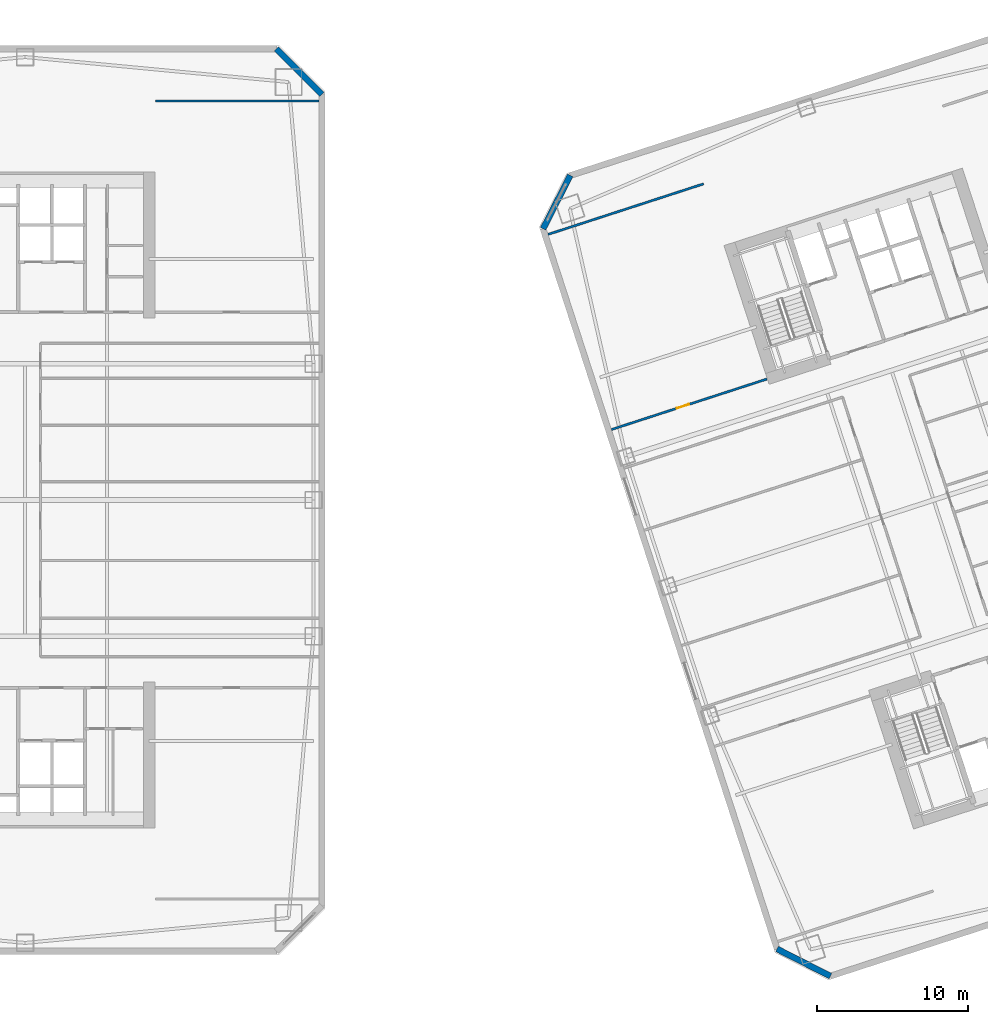
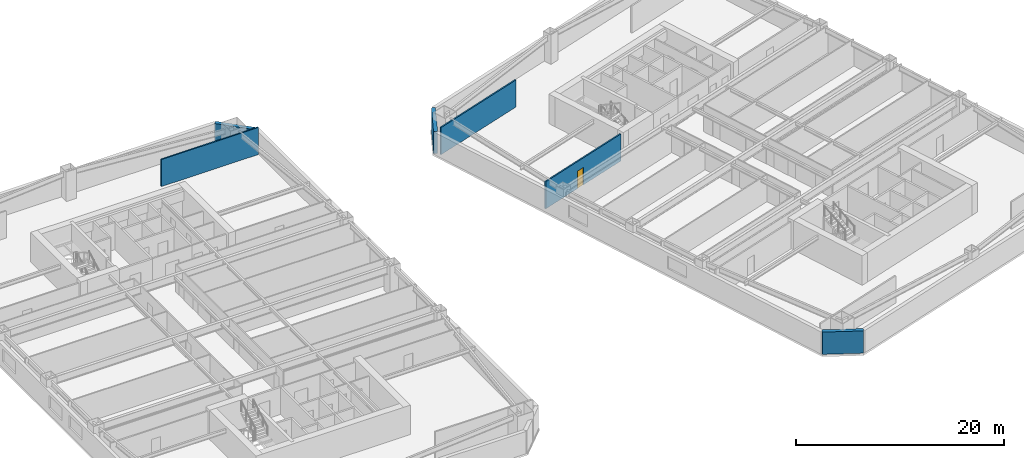
# One storey, part 13 of 19: 6 walls, 1 door, 1 opening.
"""IFC4 building model written with IfcOpenShell, lengths in metres."""

from ifc_helpers import new_model, si_unit, direction, frame, frame_2d, origin, place, context, subcontext, project, spatial, rectangle, extrude, material, layer, layer_set, type_object, element, fill, save


model = new_model("IFC4")

# Units and contexts
model_context = context("Model", 3, precision=1e-05, world=origin(), true_north=direction((0.0, 1.0)))
body_context = subcontext(model_context, "Body", "Model", "MODEL_VIEW")
ifc_project = project(units=[si_unit("LENGTHUNIT", "METRE"), si_unit("AREAUNIT", "SQUARE_METRE"), si_unit("VOLUMEUNIT", "CUBIC_METRE"), si_unit("PLANEANGLEUNIT", "RADIAN"), si_unit("MASSUNIT", "GRAM", prefix="KILO")], contexts=[model_context])

# Site, building, storey
site_placement = place(None, origin())
site = spatial("IfcSite", under=ifc_project, at=site_placement, CompositionType="ELEMENT")
building_placement = place(site_placement, origin())
building = spatial("IfcBuilding", under=site, at=building_placement, Name="Qiaolan Cultural Towers", CompositionType="ELEMENT")
storey_placement = place(building_placement, frame((0.0, 0.0, 54.050048828125)))
storey = spatial("IfcBuildingStorey", under=building, at=storey_placement, Name="L12", CompositionType="ELEMENT", Elevation=54.050048828125)

# Walls
ifc_material_1 = material(Name="Precast Concrete C50 Honed Stone Pier", Category="masonry")
ifc_layer_1 = layer(ifc_material_1, 0.39990234375)
ifc_layer_set_1 = layer_set([ifc_layer_1], Name="Precast Concrete C50 Honed Stone Pier")
wall_type_1 = type_object("IfcWallType", Name="WL-EXT-PIER-400", PredefinedType="SOLIDWALL", material=ifc_layer_set_1)
wall_1_placement = place(storey_placement, frame((46.60009765625, 63.800048828125, 0.0), z_axis=(0.0, 0.0, 1.0), x_axis=(0.707106781187, -0.707106781187, 0.0)))
element("IfcWall", 1, at=wall_1_placement, inside=storey, type_object=wall_type_1, Name="L12 West Tower Precast Pier Facade Wall F4", PredefinedType="SOLIDWALL", context=body_context, shape_type="SweptSolid", body=[
    extrude(rectangle(XDim=4.24267578125, YDim=0.39990234375, at=frame_2d((2.121337890625, 0.0))), origin(), (0.0, 0.0, 1.0), 2.60986328125),
])
for number, where, z_axis, x_axis, name in (
    (2, (64.20458984375, 51.905029296875, 0.0), (0.0, 0.0, 1.0), (0.453958106755, 0.891023028497, 0.0), "L12 East Tower Precast Pier Facade Wall F2"),
    (3, (83.18359375, 2.554443359375, 0.0), (0.0, 0.0, 1.0), (-0.890998089617, 0.454007053137, 0.0), "L12 East Tower Precast Pier Facade Wall F8"),
):
    element("IfcWall", number, at=place(storey_placement, frame(where, z_axis=z_axis, x_axis=x_axis)), inside=storey, type_object=wall_type_1, Name=name, PredefinedType="SOLIDWALL", context=body_context, shape_type="SweptSolid", body=[
        extrude(rectangle(XDim=3.9599609375, YDim=0.39990234375, at=frame_2d((1.97998046875, 0.0))), origin(), (0.0, 0.0, 1.0), 2.60986328125),
    ])
ifc_material_2 = material(Name="Autoclaved Aerated Concrete Block B06", Category="concrete")
ifc_layer_2 = layer(ifc_material_2, 0.14990234375)
ifc_layer_set_2 = layer_set([ifc_layer_2], Name="Autoclaved Aerated Concrete Block B06")
wall_type_2 = type_object("IfcWallType", Name="WL-PART-150", PredefinedType="PARTITIONING", material=ifc_layer_set_2)
wall_2_placement = place(storey_placement, frame((38.60009765625, 60.35009765625, 0.0), z_axis=(0.0, 0.0, 1.0), x_axis=(1.0, 0.0, 0.0)))
element("IfcWall", 4, at=wall_2_placement, inside=storey, type_object=wall_type_2, Name="L12 T1 Flank Wall FLK-NE", PredefinedType="PARTITIONING", context=body_context, shape_type="SweptSolid", body=[
    extrude(rectangle(XDim=10.7998046875, YDim=0.14990234375, at=frame_2d((5.39990234375, 0.0))), origin(), (0.0, 0.0, 1.0), 3.175048828125),
])
wall_3_placement = place(storey_placement, frame((64.53369140625, 51.538818359375, 0.0), z_axis=(0.0, 0.0, 1.0), x_axis=(0.951056658866, 0.309016555588, 0.0)))
element("IfcWall", 5, at=wall_3_placement, inside=storey, type_object=wall_type_2, Name="L12 T2 Flank Wall FLK-NW", PredefinedType="PARTITIONING", context=body_context, shape_type="SweptSolid", body=[
    extrude(rectangle(XDim=10.800048828125, YDim=0.14990234375, at=frame_2d((5.39990234375, 0.0))), origin(), (0.0, 0.0, 1.0), 3.175048828125),
])

# Wall, opening, door
wall_4_placement = place(storey_placement, frame((68.720947265625, 38.652099609375, 0.0), z_axis=(0.0, 0.0, 1.0), x_axis=(0.951056658866, 0.309016555588, 0.0)))
wall_4 = element("IfcWall", 6, at=wall_4_placement, inside=storey, type_object=wall_type_2, Name="L12 T2 Flank Front FLK-NW", PredefinedType="PARTITIONING", context=body_context, shape_type="SweptSolid", body=[
    extrude(rectangle(XDim=10.800048828125, YDim=0.14990234375, at=frame_2d((5.39990234375, 0.0))), origin(), (0.0, 0.0, 1.0), 3.175048828125),
])
opening_placement = place(wall_4_placement, frame((4.535888671875, 0.0, 0.0)))
opening = element("IfcOpeningElement", 7, at=opening_placement, cuts=wall_4, Name="Opening ID-09", PredefinedType="OPENING", context=body_context, shape_type="SweptSolid", body=[
    extrude(rectangle(XDim=0.85009765625, YDim=2.050048828125, at=frame_2d((0.425048828125, 1.02490234375))), frame((0.0, 0.0849609375, 0.0), z_axis=(0.0, -1.0, 0.0), x_axis=(1.0, 0.0, 0.0)), (0.0, 0.0, 1.0), 0.169921875),
])
ifc_material_3 = material(Name="Moisture-Resistant Laminate Utility Door", Category="timber")
door_type = type_object("IfcDoorType", Name="DR-INT-850", OperationType="NOTDEFINED", PredefinedType="DOOR", material=ifc_material_3)
door_placement = place(opening_placement, origin())
door = element("IfcDoor", 8, at=door_placement, inside=storey, type_object=door_type, Name="L12 T2 Corner Studio Door", OperationType="SINGLE_SWING_LEFT", OverallHeight=2.050048828125, OverallWidth=0.85009765625, PredefinedType="DOOR", context=body_context, shape_type="SweptSolid", body=[
    extrude(rectangle(XDim=0.85009765625, YDim=2.050048828125, at=frame_2d((0.425048828125, 1.02490234375))), frame((0.0, 0.02490234375, 0.0), z_axis=(0.0, -1.0, 0.0), x_axis=(1.0, 0.0, 0.0)), (0.0, 0.0, 1.0), 0.050048828125),
])
fill(opening, door)

save(model, "model.ifc")
